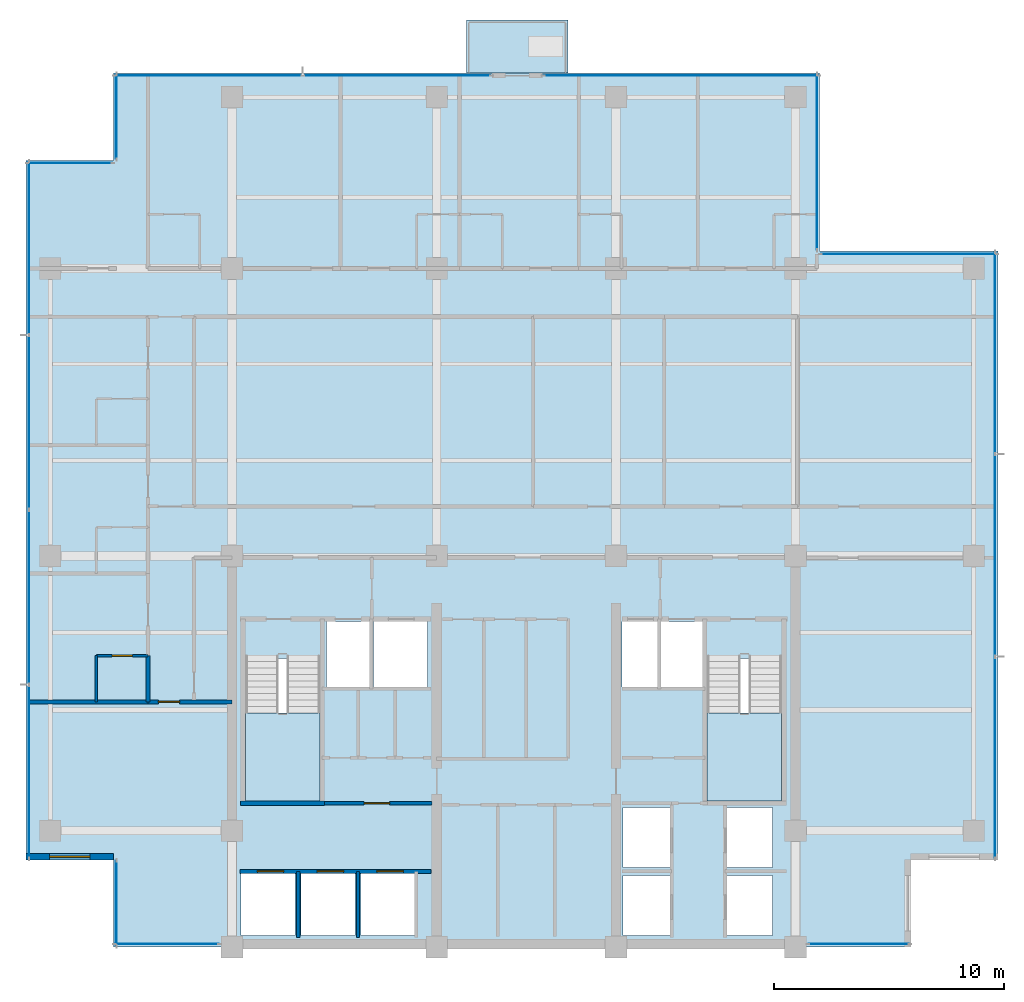
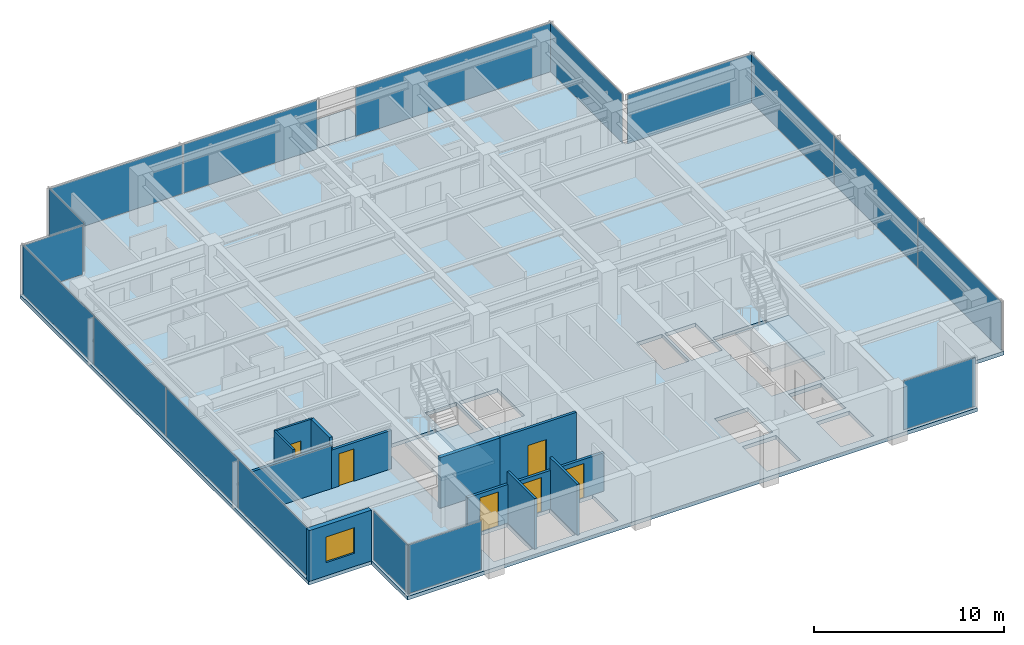
# One storey, part 6 of 15: 17 plates, 11 walls, 6 doors, 4 slabs, 1 window, 7 openings, 13 elements without a shape of their own.
"""IFC4 building model written with IfcOpenShell, lengths in metres."""

from ifc_helpers import new_model, si_unit, direction, frame, frame_2d, origin, origin_2d, place, context, subcontext, project, spatial, polyline, rectangle, outline, extrude, material, layer, layer_set, type_object, element, fill, aggregate, save


model = new_model("IFC4")

# Units and contexts
model_context = context("Model", 3, precision=1e-05, world=origin(), true_north=direction((0.0, 1.0)))
body_context = subcontext(model_context, "Body", "Model", "MODEL_VIEW")
ifc_project = project(units=[si_unit("LENGTHUNIT", "METRE"), si_unit("AREAUNIT", "SQUARE_METRE"), si_unit("VOLUMEUNIT", "CUBIC_METRE"), si_unit("PLANEANGLEUNIT", "RADIAN"), si_unit("MASSUNIT", "GRAM", prefix="KILO")], contexts=[model_context])

# Site, building, storey
site_placement = place(None, origin())
site = spatial("IfcSite", under=ifc_project, at=site_placement, CompositionType="ELEMENT")
building_placement = place(site_placement, origin())
building = spatial("IfcBuilding", under=site, at=building_placement, Name="Qalmaran Belvedere Hotel", CompositionType="ELEMENT")
storey_placement = place(building_placement, frame((0.0, 0.0, 196.89990234375)))
storey = spatial("IfcBuildingStorey", under=building, at=storey_placement, Name="L49", CompositionType="ELEMENT", Elevation=196.89990234375)

# Curtain wall, plate
ifc_material_1 = material(Name="Anodised Bronze Aluminium", Category="aluminium")
ifc_layer_1 = layer(ifc_material_1, 0.18994140625, Name="Anodised Bronze Aluminium")
ifc_layer_set_1 = layer_set([ifc_layer_1], Name="Anodised Bronze Aluminium")
curtain_wall_type = type_object("IfcCurtainWallType", Name="CW5-TOWER-UPPER", PredefinedType="NOTDEFINED", material=ifc_layer_set_1)
curtain_wall_1_placement = place(storey_placement, origin())
curtain_wall_1 = element("IfcCurtainWall", 1, at=curtain_wall_1_placement, inside=storey, type_object=curtain_wall_type, Name="L49 Curtain Wall CW5", PredefinedType="NOTDEFINED")
ifc_material_2 = material(Name="Solar-Control Double Glazing", Category="glass")
ifc_layer_2 = layer(ifc_material_2, 0.028076171875, Name="Solar-Control Double Glazing")
ifc_layer_set_2 = layer_set([ifc_layer_2], Name="Solar-Control Double Glazing")
plate_type = type_object("IfcPlateType", Name="CWP-VISION-28", PredefinedType="CURTAIN_PANEL", material=ifc_layer_set_2)
plate_1_placement = place(storey_placement, frame((17.467529296875, 3.6201171875, 0.065185546875), z_axis=(0.0, 0.0, 1.0), x_axis=(1.0, 0.0, 0.0)))
plate_1 = element("IfcPlate", 2, at=plate_1_placement, type_object=plate_type, Name="CW5 panel 1.1", PredefinedType="CURTAIN_PANEL", context=body_context, shape_type="SweptSolid", body=[
    extrude(rectangle(XDim=4.5048828125, YDim=0.028076171875, at=origin_2d()), origin(), (0.0, 0.0, 1.0), 3.1298828125),
])
aggregate(curtain_wall_1, [plate_1])

curtain_wall_2_placement = place(storey_placement, origin())
curtain_wall_2 = element("IfcCurtainWall", 3, at=curtain_wall_2_placement, inside=storey, type_object=curtain_wall_type, Name="L49 Curtain Wall CW5", PredefinedType="NOTDEFINED")
plate_2_placement = place(storey_placement, frame((47.5576171875, 3.6201171875, 0.065185546875), z_axis=(0.0, 0.0, 1.0), x_axis=(1.0, 0.0, 0.0)))
plate_2 = element("IfcPlate", 4, at=plate_2_placement, type_object=plate_type, Name="CW5 panel 1.1", PredefinedType="CURTAIN_PANEL", context=body_context, shape_type="SweptSolid", body=[
    extrude(rectangle(XDim=4.35498046875, YDim=0.028076171875, at=origin_2d()), origin(), (0.0, 0.0, 1.0), 3.1298828125),
])
aggregate(curtain_wall_2, [plate_2])

# Curtain wall, plates
curtain_wall_3_placement = place(storey_placement, origin())
curtain_wall_3 = element("IfcCurtainWall", 5, at=curtain_wall_3_placement, inside=storey, type_object=curtain_wall_type, Name="L49 Curtain Wall CW5", PredefinedType="NOTDEFINED")
plate_3_placement = place(storey_placement, frame((53.47998046875, 11.724609375, 0.065185546875), z_axis=(0.0, 0.0, 1.0), x_axis=(0.0, 1.0, 0.0)))
plate_3 = element("IfcPlate", 6, at=plate_3_placement, type_object=plate_type, Name="CW5 panel 1.1", PredefinedType="CURTAIN_PANEL", context=body_context, shape_type="SweptSolid", body=[
    extrude(rectangle(XDim=8.71923828125, YDim=0.028076171875, at=origin_2d()), origin(), (0.0, 0.0, 1.0), 3.1298828125),
])
plate_4_placement = place(storey_placement, frame((53.47998046875, 20.52490234375, 0.065185546875), z_axis=(0.0, 0.0, 1.0), x_axis=(0.0, 1.0, 0.0)))
plate_4 = element("IfcPlate", 7, at=plate_4_placement, type_object=plate_type, Name="CW5 panel 2.1", PredefinedType="CURTAIN_PANEL", context=body_context, shape_type="SweptSolid", body=[
    extrude(rectangle(XDim=8.751708984375, YDim=0.028076171875, at=origin_2d()), origin(), (0.0, 0.0, 1.0), 3.1298828125),
])
plate_5_placement = place(storey_placement, frame((53.47998046875, 29.325439453125, 0.065185546875), z_axis=(0.0, 0.0, 1.0), x_axis=(0.0, 1.0, 0.0)))
plate_5 = element("IfcPlate", 8, at=plate_5_placement, type_object=plate_type, Name="CW5 panel 3.1", PredefinedType="CURTAIN_PANEL", context=body_context, shape_type="SweptSolid", body=[
    extrude(rectangle(XDim=8.71923828125, YDim=0.028076171875, at=origin_2d()), origin(), (0.0, 0.0, 1.0), 3.1298828125),
])
aggregate(curtain_wall_3, [plate_3, plate_4, plate_5])

# Curtain wall, plate
curtain_wall_4_placement = place(storey_placement, origin())
curtain_wall_4 = element("IfcCurtainWall", 9, at=curtain_wall_4_placement, inside=storey, type_object=curtain_wall_type, Name="L49 Curtain Wall CW5", PredefinedType="NOTDEFINED")
plate_6_placement = place(storey_placement, frame((49.72509765625, 33.6298828125, 0.065185546875), z_axis=(0.0, 0.0, 1.0), x_axis=(-1.0, 0.0, 0.0)))
plate_6 = element("IfcPlate", 10, at=plate_6_placement, type_object=plate_type, Name="CW5 panel 1.1", PredefinedType="CURTAIN_PANEL", context=body_context, shape_type="SweptSolid", body=[
    extrude(rectangle(XDim=7.6201171875, YDim=0.028076171875, at=origin_2d()), origin(), (0.0, 0.0, 1.0), 3.1298828125),
])
aggregate(curtain_wall_4, [plate_6])

curtain_wall_5_placement = place(storey_placement, origin())
curtain_wall_5 = element("IfcCurtainWall", 11, at=curtain_wall_5_placement, inside=storey, type_object=curtain_wall_type, Name="L49 Curtain Wall CW5", PredefinedType="NOTDEFINED")
plate_7_placement = place(storey_placement, frame((45.72998046875, 37.625, 0.065185546875), z_axis=(0.0, 0.0, 1.0), x_axis=(0.0, 1.0, 0.0)))
plate_7 = element("IfcPlate", 12, at=plate_7_placement, type_object=plate_type, Name="CW5 panel 1.1", PredefinedType="CURTAIN_PANEL", context=body_context, shape_type="SweptSolid", body=[
    extrude(rectangle(XDim=7.6201171875, YDim=0.028076171875, at=origin_2d()), origin(), (0.0, 0.0, 1.0), 3.1298828125),
])
aggregate(curtain_wall_5, [plate_7])

# Curtain wall, plates
curtain_wall_6_placement = place(storey_placement, origin())
curtain_wall_6 = element("IfcCurtainWall", 13, at=curtain_wall_6_placement, inside=storey, type_object=curtain_wall_type, Name="L49 Curtain Wall CW5", PredefinedType="NOTDEFINED")
plate_8_placement = place(storey_placement, frame((27.47119140625, 41.3798828125, 0.065185546875), z_axis=(0.0, 0.0, 1.0), x_axis=(-1.0, 0.0, 0.0)))
plate_8 = element("IfcPlate", 14, at=plate_8_placement, type_object=plate_type, Name="CW5 panel 1.1", PredefinedType="CURTAIN_PANEL", context=body_context, shape_type="SweptSolid", body=[
    extrude(rectangle(XDim=8.12744140625, YDim=0.028076171875, at=origin_2d()), origin(), (0.0, 0.0, 1.0), 3.1298828125),
])
plate_9_placement = place(storey_placement, frame((19.27880859375, 41.3798828125, 0.065185546875), z_axis=(0.0, 0.0, 1.0), x_axis=(-1.0, 0.0, 0.0)))
plate_9 = element("IfcPlate", 15, at=plate_9_placement, type_object=plate_type, Name="CW5 panel 2.1", PredefinedType="CURTAIN_PANEL", context=body_context, shape_type="SweptSolid", body=[
    extrude(rectangle(XDim=8.12744140625, YDim=0.028076171875, at=origin_2d()), origin(), (0.0, 0.0, 1.0), 3.1298828125),
])
aggregate(curtain_wall_6, [plate_8, plate_9])

# Curtain wall, plate
curtain_wall_7_placement = place(storey_placement, origin())
curtain_wall_7 = element("IfcCurtainWall", 16, at=curtain_wall_7_placement, inside=storey, type_object=curtain_wall_type, Name="L49 Curtain Wall CW5", PredefinedType="NOTDEFINED")
plate_10_placement = place(storey_placement, frame((39.824951171875, 41.3798828125, 0.065185546875), z_axis=(0.0, 0.0, 1.0), x_axis=(-1.0, 0.0, 0.0)))
plate_10 = element("IfcPlate", 17, at=plate_10_placement, type_object=plate_type, Name="CW5 panel 1.1", PredefinedType="CURTAIN_PANEL", context=body_context, shape_type="SweptSolid", body=[
    extrude(rectangle(XDim=11.919921875, YDim=0.028076171875, at=origin_2d()), origin(), (0.0, 0.0, 1.0), 3.1298828125),
])
aggregate(curtain_wall_7, [plate_10])

curtain_wall_8_placement = place(storey_placement, origin())
curtain_wall_8 = element("IfcCurtainWall", 18, at=curtain_wall_8_placement, inside=storey, type_object=curtain_wall_type, Name="L49 Curtain Wall CW5", PredefinedType="NOTDEFINED")
plate_11_placement = place(storey_placement, frame((15.27001953125, 39.60009765625, 0.065185546875), z_axis=(0.0, 0.0, 1.0), x_axis=(0.0, -1.0, 0.0)))
plate_11 = element("IfcPlate", 19, at=plate_11_placement, type_object=plate_type, Name="CW5 panel 1.1", PredefinedType="CURTAIN_PANEL", context=body_context, shape_type="SweptSolid", body=[
    extrude(rectangle(XDim=3.669921875, YDim=0.028076171875, at=origin_2d()), origin(), (0.0, 0.0, 1.0), 3.1298828125),
])
aggregate(curtain_wall_8, [plate_11])

curtain_wall_9_placement = place(storey_placement, origin())
curtain_wall_9 = element("IfcCurtainWall", 20, at=curtain_wall_9_placement, inside=storey, type_object=curtain_wall_type, Name="L49 Curtain Wall CW5", PredefinedType="NOTDEFINED")
plate_12_placement = place(storey_placement, frame((13.25, 37.580078125, 0.065185546875), z_axis=(0.0, 0.0, 1.0), x_axis=(-1.0, 0.0, 0.0)))
plate_12 = element("IfcPlate", 21, at=plate_12_placement, type_object=plate_type, Name="CW5 panel 1.1", PredefinedType="CURTAIN_PANEL", context=body_context, shape_type="SweptSolid", body=[
    extrude(rectangle(XDim=3.669921875, YDim=0.028076171875, at=origin_2d()), origin(), (0.0, 0.0, 1.0), 3.1298828125),
])
aggregate(curtain_wall_9, [plate_12])

# Curtain wall, plates
curtain_wall_10_placement = place(storey_placement, origin())
curtain_wall_10 = element("IfcCurtainWall", 22, at=curtain_wall_10_placement, inside=storey, type_object=curtain_wall_type, Name="L49 Curtain Wall CW5", PredefinedType="NOTDEFINED")
plate_13_placement = place(storey_placement, frame((11.469970703125, 33.8837890625, 0.065185546875), z_axis=(0.0, 0.0, 1.0), x_axis=(0.0, -1.0, 0.0)))
plate_13 = element("IfcPlate", 23, at=plate_13_placement, type_object=plate_type, Name="CW5 panel 1.1", PredefinedType="CURTAIN_PANEL", context=body_context, shape_type="SweptSolid", body=[
    extrude(rectangle(XDim=7.50244140625, YDim=0.028076171875, at=origin_2d()), origin(), (0.0, 0.0, 1.0), 3.1298828125),
])
plate_14_placement = place(storey_placement, frame((11.469970703125, 26.300048828125, 0.065185546875), z_axis=(0.0, 0.0, 1.0), x_axis=(0.0, -1.0, 0.0)))
plate_14 = element("IfcPlate", 24, at=plate_14_placement, type_object=plate_type, Name="CW5 panel 2.1", PredefinedType="CURTAIN_PANEL", context=body_context, shape_type="SweptSolid", body=[
    extrude(rectangle(XDim=7.534912109375, YDim=0.028076171875, at=origin_2d()), origin(), (0.0, 0.0, 1.0), 3.1298828125),
])
plate_15_placement = place(storey_placement, frame((11.469970703125, 18.699951171875, 0.065185546875), z_axis=(0.0, 0.0, 1.0), x_axis=(0.0, -1.0, 0.0)))
plate_15 = element("IfcPlate", 25, at=plate_15_placement, type_object=plate_type, Name="CW5 panel 3.1", PredefinedType="CURTAIN_PANEL", context=body_context, shape_type="SweptSolid", body=[
    extrude(rectangle(XDim=7.534912109375, YDim=0.028076171875, at=origin_2d()), origin(), (0.0, 0.0, 1.0), 3.1298828125),
])
plate_16_placement = place(storey_placement, frame((11.469970703125, 11.1162109375, 0.065185546875), z_axis=(0.0, 0.0, 1.0), x_axis=(0.0, -1.0, 0.0)))
plate_16 = element("IfcPlate", 26, at=plate_16_placement, type_object=plate_type, Name="CW5 panel 4.1", PredefinedType="CURTAIN_PANEL", context=body_context, shape_type="SweptSolid", body=[
    extrude(rectangle(XDim=7.50244140625, YDim=0.028076171875, at=origin_2d()), origin(), (0.0, 0.0, 1.0), 3.1298828125),
])
aggregate(curtain_wall_10, [plate_13, plate_14, plate_15, plate_16])

# Curtain wall, plate
curtain_wall_11_placement = place(storey_placement, origin())
curtain_wall_11 = element("IfcCurtainWall", 27, at=curtain_wall_11_placement, inside=storey, type_object=curtain_wall_type, Name="L49 Curtain Wall CW5", PredefinedType="NOTDEFINED")
plate_17_placement = place(storey_placement, frame((15.27001953125, 5.39990234375, 0.065185546875), z_axis=(0.0, 0.0, 1.0), x_axis=(0.0, -1.0, 0.0)))
plate_17 = element("IfcPlate", 28, at=plate_17_placement, type_object=plate_type, Name="CW5 panel 1.1", PredefinedType="CURTAIN_PANEL", context=body_context, shape_type="SweptSolid", body=[
    extrude(rectangle(XDim=3.669921875, YDim=0.028076171875, at=origin_2d()), origin(), (0.0, 0.0, 1.0), 3.1298828125),
])
aggregate(curtain_wall_11, [plate_17])

# Slab
ifc_material_3 = material(Name="Concrete C40/50", Category="concrete")
ifc_layer_3 = layer(ifc_material_3, 0.219970703125, Name="Concrete C40/50")
ifc_layer_set_3 = layer_set([ifc_layer_3], Name="Concrete C40/50")
slab_type_1 = type_object("IfcSlabType", Name="SLB-BAL-220", PredefinedType="USERDEFINED", material=ifc_layer_set_3)
slab_1_placement = place(storey_placement, frame((0.0, 0.0, -0.219970703125)))
element("IfcSlab", 29, at=slab_1_placement, inside=storey, type_object=slab_type_1, Name="L49 Planted Tree Balcony Slab 1", ObjectType="BALCONY", PredefinedType="USERDEFINED", context=body_context, shape_type="SweptSolid", body=[
    extrude(outline(polyline([(30.5, 41.5), (34.89990234375, 41.5), (34.89990234375, 43.800048828125), (30.5, 43.800048828125), (30.5, 41.5)])), origin(), (0.0, 0.0, 1.0), 0.219970703125),
])

# Stair, slab
stair_type_1 = type_object("IfcStairType", Name="STR-ST-1-1450-R1750", PredefinedType="HALF_TURN_STAIR", material=ifc_material_3)
stair_1_placement = place(storey_placement, origin())
stair_1 = element("IfcStair", 30, at=stair_1_placement, inside=storey, type_object=stair_type_1, Name="L49 West Core Exit Stair ST-1", PredefinedType="HALF_TURN_STAIR")
ifc_layer_4 = layer(ifc_material_3, 0.199951171875, Name="Concrete C40/50")
ifc_layer_set_4 = layer_set([ifc_layer_4], Name="Concrete C40/50")
slab_type_2 = type_object("IfcSlabType", Name="SLB-STAIR-LANDING-200", PredefinedType="LANDING", material=ifc_layer_set_4)
slab_2_placement = place(storey_placement, frame((0.0, 0.0, 1.550048828125)))
slab_2 = element("IfcSlab", 31, at=slab_2_placement, type_object=slab_type_2, Name="ST-1 landing 1", PredefinedType="LANDING", context=body_context, shape_type="SweptSolid", body=[
    extrude(outline(polyline([(20.8798828125, 13.669921875), (20.8798828125, 9.85009765625), (24.1201171875, 9.85009765625), (24.1201171875, 13.669921875), (20.8798828125, 13.669921875)])), origin(), (0.0, 0.0, 1.0), 0.199951171875),
])
aggregate(stair_1, [slab_2])

stair_type_2 = type_object("IfcStairType", Name="STR-ST-2-1450-R1750", PredefinedType="HALF_TURN_STAIR", material=ifc_material_3)
stair_2_placement = place(storey_placement, origin())
stair_2 = element("IfcStair", 32, at=stair_2_placement, inside=storey, type_object=stair_type_2, Name="L49 East Core Exit Stair ST-2", PredefinedType="HALF_TURN_STAIR")
slab_3_placement = place(storey_placement, frame((0.0, 0.0, 1.550048828125)))
slab_3 = element("IfcSlab", 33, at=slab_3_placement, type_object=slab_type_2, Name="ST-2 landing 1", PredefinedType="LANDING", context=body_context, shape_type="SweptSolid", body=[
    extrude(outline(polyline([(40.9599609375, 13.669921875), (40.9599609375, 9.85009765625), (44.199951171875, 9.85009765625), (44.199951171875, 13.669921875), (40.9599609375, 13.669921875)])), origin(), (0.0, 0.0, 1.0), 0.199951171875),
])
aggregate(stair_2, [slab_3])

# Slab
ifc_layer_5 = layer(ifc_material_3, 0.239990234375, Name="Concrete C40/50")
ifc_layer_set_5 = layer_set([ifc_layer_5], Name="Concrete C40/50")
slab_type_3 = type_object("IfcSlabType", Name="SLB-Z4-240", PredefinedType="FLOOR", material=ifc_layer_set_5)
slab_4_placement = place(storey_placement, frame((0.0, 0.0, -0.239990234375)))
element("IfcSlab", 34, at=slab_4_placement, inside=storey, type_object=slab_type_3, Name="L49 Structural Floor Slab", PredefinedType="FLOOR", context=body_context, shape_type="SweptSolid", body=[
    extrude(outline(polyline([(15.14990234375, 3.5), (49.800048828125, 3.5), (49.800048828125, 7.300048828125), (53.60009765625, 7.300048828125), (53.60009765625, 33.75), (45.85009765625, 33.75), (45.85009765625, 41.5), (15.14990234375, 41.5), (15.14990234375, 37.699951171875), (11.35009765625, 37.699951171875), (11.35009765625, 7.300048828125), (15.14990234375, 7.300048828125), (15.14990234375, 3.5)]), holes=[polyline([(20.8798828125, 9.85009765625), (24.1201171875, 9.85009765625), (24.1201171875, 16.0400390625), (20.8798828125, 16.0400390625), (20.8798828125, 9.85009765625)]), polyline([(40.9599609375, 9.85009765625), (44.199951171875, 9.85009765625), (44.199951171875, 16.0400390625), (40.9599609375, 16.0400390625), (40.9599609375, 9.85009765625)]), polyline([(37.300048828125, 4.0), (39.35009765625, 4.0), (39.35009765625, 6.60009765625), (37.300048828125, 6.60009765625), (37.300048828125, 4.0)]), polyline([(37.300048828125, 6.949951171875), (39.35009765625, 6.949951171875), (39.35009765625, 9.550048828125), (37.300048828125, 9.550048828125), (37.300048828125, 6.949951171875)]), polyline([(41.800048828125, 4.0), (43.800048828125, 4.0), (43.800048828125, 6.60009765625), (41.800048828125, 6.60009765625), (41.800048828125, 4.0)]), polyline([(41.800048828125, 6.949951171875), (43.800048828125, 6.949951171875), (43.800048828125, 9.550048828125), (41.800048828125, 9.550048828125), (41.800048828125, 6.949951171875)]), polyline([(20.699951171875, 4.0), (23.050048828125, 4.0), (23.050048828125, 6.699951171875), (20.699951171875, 6.699951171875), (20.699951171875, 4.0)]), polyline([(23.300048828125, 4.0), (25.64990234375, 4.0), (25.64990234375, 6.699951171875), (23.300048828125, 6.699951171875), (23.300048828125, 4.0)]), polyline([(25.89990234375, 4.0), (28.25, 4.0), (28.25, 6.699951171875), (25.89990234375, 6.699951171875), (25.89990234375, 4.0)]), polyline([(24.39990234375, 14.800048828125), (26.300048828125, 14.800048828125), (26.300048828125, 17.64990234375), (24.39990234375, 17.64990234375), (24.39990234375, 14.800048828125)]), polyline([(38.949951171875, 14.800048828125), (40.820068359375, 14.800048828125), (40.820068359375, 17.64990234375), (38.949951171875, 17.64990234375), (38.949951171875, 14.800048828125)]), polyline([(26.449951171875, 14.800048828125), (28.800048828125, 14.800048828125), (28.800048828125, 17.64990234375), (26.449951171875, 17.64990234375), (26.449951171875, 14.800048828125)]), polyline([(37.25, 14.800048828125), (38.800048828125, 14.800048828125), (38.800048828125, 17.64990234375), (37.25, 17.64990234375), (37.25, 14.800048828125)])]), origin(), (0.0, 0.0, 1.0), 0.239990234375),
])

# Wall, opening, window
ifc_material_4 = material(Name="Anodised Bronze Cladding")
ifc_layer_6 = layer(ifc_material_4, 0.280029296875, Name="Anodised Bronze Cladding")
ifc_layer_set_6 = layer_set([ifc_layer_6], Name="Anodised Bronze Cladding")
wall_type_1 = type_object("IfcWallType", Name="WL-EXT-BRNZ-280", PredefinedType="SOLIDWALL", material=ifc_layer_set_6)
wall_1_placement = place(storey_placement, frame((11.35009765625, 7.419921875, 0.0), z_axis=(0.0, 0.0, 1.0), x_axis=(1.0, 0.0, 0.0)))
wall_1 = element("IfcWall", 35, at=wall_1_placement, inside=storey, type_object=wall_type_1, Name="L49 Corner Notch Wall 10", PredefinedType="SOLIDWALL", context=body_context, shape_type="SweptSolid", body=[
    extrude(rectangle(XDim=3.7998046875, YDim=0.280029296875, at=frame_2d((1.89990234375, 0.0))), origin(), (0.0, 0.0, 1.0), 3.260009765625),
])
opening_1_placement = place(wall_1_placement, frame((1.02490234375, 0.0, 0.85009765625)))
opening_1 = element("IfcOpeningElement", 36, at=opening_1_placement, cuts=wall_1, Name="Opening W-N17", PredefinedType="OPENING", context=body_context, shape_type="SweptSolid", body=[
    extrude(rectangle(XDim=1.75, YDim=1.64990234375, at=frame_2d((0.875, 0.824951171875))), frame((0.0, 0.14990234375, 0.0), z_axis=(0.0, -1.0, 0.0), x_axis=(1.0, 0.0, 0.0)), (0.0, 0.0, 1.0), 0.300048828125),
])
window_type = type_object("IfcWindowType", Name="WN-NTC-1750X1650", PartitioningType="SINGLE_PANEL", PredefinedType="WINDOW", material=ifc_material_2)
window_placement = place(opening_1_placement, origin())
window = element("IfcWindow", 37, at=window_placement, inside=storey, type_object=window_type, Name="L49 Corner Notch Window 10", OverallHeight=1.64990234375, OverallWidth=1.75, PartitioningType="SINGLE_PANEL", PredefinedType="WINDOW", context=body_context, shape_type="SweptSolid", body=[
    extrude(rectangle(XDim=1.75, YDim=1.64990234375, at=frame_2d((0.875, 0.824951171875))), frame((0.0, 0.030029296875, 0.0), z_axis=(0.0, -1.0, 0.0), x_axis=(1.0, 0.0, 0.0)), (0.0, 0.0, 1.0), 0.06005859375),
])
fill(opening_1, window)

# Wall, opening, door
ifc_material_5 = material(Name="Moisture-Resistant Gypsum")
ifc_layer_7 = layer(ifc_material_5, 0.1201171875, Name="Moisture-Resistant Gypsum")
ifc_layer_set_7 = layer_set([ifc_layer_7], Name="Moisture-Resistant Gypsum")
wall_type_2 = type_object("IfcWallType", Name="WL-INT-120-BATH", PredefinedType="PARTITIONING", material=ifc_layer_set_7)
wall_2_placement = place(storey_placement, frame((14.39990234375, 16.159912109375, 0.0), z_axis=(0.0, 0.0, 1.0), x_axis=(1.0, 0.0, 0.0)))
wall_2 = element("IfcWall", 38, at=wall_2_placement, inside=storey, type_object=wall_type_2, Name="L49 Partition WL-L49-WBN00", PredefinedType="PARTITIONING", context=body_context, shape_type="SweptSolid", body=[
    extrude(rectangle(XDim=2.25, YDim=0.1201171875, at=frame_2d((1.125, 0.0))), origin(), (0.0, 0.0, 1.0), 3.260009765625),
])
opening_2_placement = place(wall_2_placement, frame((1.56494140625, 0.0, 0.0), z_axis=(0.0, 0.0, 1.0), x_axis=(-1.0, 0.0, 0.0)))
opening_2 = element("IfcOpeningElement", 39, at=opening_2_placement, cuts=wall_2, Name="Opening D-BATH", PredefinedType="OPENING", context=body_context, shape_type="SweptSolid", body=[
    extrude(rectangle(XDim=0.8798828125, YDim=2.080078125, at=frame_2d((0.43994140625, 1.0400390625))), frame((0.0, 0.070068359375, 0.0), z_axis=(0.0, -1.0, 0.0), x_axis=(1.0, 0.0, 0.0)), (0.0, 0.0, 1.0), 0.14013671875),
])
ifc_material_6 = material(Name="Engineered Oak Veneer")
door_type_1 = type_object("IfcDoorType", Name="DR-INT-BATH-880X2080", OperationType="NOTDEFINED", PredefinedType="DOOR", material=ifc_material_6)
door_1_placement = place(opening_2_placement, origin())
door_1 = element("IfcDoor", 40, at=door_1_placement, inside=storey, type_object=door_type_1, Name="L49 W Ensuite Door 01", OperationType="SINGLE_SWING_RIGHT", OverallHeight=2.080078125, OverallWidth=0.8798828125, PredefinedType="DOOR", context=body_context, shape_type="SweptSolid", body=[
    extrude(rectangle(XDim=0.8798828125, YDim=2.080078125, at=frame_2d((0.43994140625, 1.0400390625))), frame((0.0, 0.02490234375, 0.0), z_axis=(0.0, -1.0, 0.0), x_axis=(1.0, 0.0, 0.0)), (0.0, 0.0, 1.0), 0.050048828125),
])
fill(opening_2, door_1)

# Walls
wall_3_placement = place(storey_placement, frame((14.39990234375, 14.14990234375, 0.0), z_axis=(0.0, 0.0, 1.0), x_axis=(0.0, 1.0, 0.0)))
element("IfcWall", 41, at=wall_3_placement, inside=storey, type_object=wall_type_2, Name="L49 Partition WL-L49-WBS00", PredefinedType="PARTITIONING", context=body_context, shape_type="SweptSolid", body=[
    extrude(rectangle(XDim=2.010009765625, YDim=0.1201171875, at=frame_2d((1.0048828125, 0.0))), origin(), (0.0, 0.0, 1.0), 3.260009765625),
])
ifc_material_7 = material(Name="Gypsum Stud Partition")
ifc_layer_8 = layer(ifc_material_7, 0.14990234375, Name="Gypsum Stud Partition")
ifc_layer_set_8 = layer_set([ifc_layer_8], Name="Gypsum Stud Partition")
wall_type_3 = type_object("IfcWallType", Name="WL-INT-150-EI120", PredefinedType="PARTITIONING", material=ifc_layer_set_8)
for number, where, z_axis, x_axis, name in (
    (42, (23.179931640625, 3.89990234375, 0.0), (0.0, 0.0, 1.0), (0.0, 1.0, 0.0), "L49 Partition WL-POM1-L49"),
    (43, (25.780029296875, 3.89990234375, 0.0), (0.0, 0.0, 1.0), (0.0, 1.0, 0.0), "L49 Partition WL-POM2-L49"),
):
    element("IfcWall", number, at=place(storey_placement, frame(where, z_axis=z_axis, x_axis=x_axis)), inside=storey, type_object=wall_type_3, Name=name, PredefinedType="PARTITIONING", context=body_context, shape_type="SweptSolid", body=[
        extrude(rectangle(XDim=2.880126953125, YDim=0.14990234375, at=frame_2d((1.43994140625, 0.0))), origin(), (0.0, 0.0, 1.0), 3.260009765625),
    ])

# Wall, openings, doors
ifc_layer_9 = layer(ifc_material_7, 0.159912109375, Name="Gypsum Stud Partition")
ifc_layer_set_9 = layer_set([ifc_layer_9], Name="Gypsum Stud Partition")
wall_type_4 = type_object("IfcWallType", Name="WL-INT-160-EI120", PredefinedType="PARTITIONING", material=ifc_layer_set_9)
wall_4_placement = place(storey_placement, frame((20.64990234375, 6.780029296875, 0.0), z_axis=(0.0, 0.0, 1.0), x_axis=(1.0, 0.0, 0.0)))
wall_4 = element("IfcWall", 44, at=wall_4_placement, inside=storey, type_object=wall_type_4, Name="L49 Partition WL-POS-L49", PredefinedType="PARTITIONING", context=body_context, shape_type="SweptSolid", body=[
    extrude(rectangle(XDim=8.300048828125, YDim=0.159912109375, at=frame_2d((4.14990234375, 0.0))), origin(), (0.0, 0.0, 1.0), 2.47216796875),
])
opening_3_placement = place(wall_4_placement, frame((0.75, 0.0, 0.0)))
opening_3 = element("IfcOpeningElement", 45, at=opening_3_placement, cuts=wall_4, Name="Opening LD-PO", PredefinedType="OPENING", context=body_context, shape_type="SweptSolid", body=[
    extrude(rectangle(XDim=1.14990234375, YDim=2.199951171875, at=frame_2d((0.574951171875, 1.10009765625))), frame((0.0, 0.08984375, 0.0), z_axis=(0.0, -1.0, 0.0), x_axis=(1.0, 0.0, 0.0)), (0.0, 0.0, 1.0), 0.179931640625),
])
opening_4_placement = place(wall_4_placement, frame((3.35009765625, 0.0, 0.0)))
opening_4 = element("IfcOpeningElement", 46, at=opening_4_placement, cuts=wall_4, Name="Opening LD-PO", PredefinedType="OPENING", context=body_context, shape_type="SweptSolid", body=[
    extrude(rectangle(XDim=1.14990234375, YDim=2.199951171875, at=frame_2d((0.574951171875, 1.10009765625))), frame((0.0, 0.08984375, 0.0), z_axis=(0.0, -1.0, 0.0), x_axis=(1.0, 0.0, 0.0)), (0.0, 0.0, 1.0), 0.179931640625),
])
opening_5_placement = place(wall_4_placement, frame((5.949951171875, 0.0, 0.0)))
opening_5 = element("IfcOpeningElement", 47, at=opening_5_placement, cuts=wall_4, Name="Opening LD-PO", PredefinedType="OPENING", context=body_context, shape_type="SweptSolid", body=[
    extrude(rectangle(XDim=1.14990234375, YDim=2.199951171875, at=frame_2d((0.574951171875, 1.10009765625))), frame((0.0, 0.08984375, 0.0), z_axis=(0.0, -1.0, 0.0), x_axis=(1.0, 0.0, 0.0)), (0.0, 0.0, 1.0), 0.179931640625),
])
door_type_2 = type_object("IfcDoorType", Name="DR-LIFT-PO-1150X2200", OperationType="DOUBLE_DOOR_SLIDING", PredefinedType="DOOR", material=ifc_material_1)
door_2_placement = place(opening_3_placement, origin())
door_2 = element("IfcDoor", 48, at=door_2_placement, inside=storey, type_object=door_type_2, Name="L49 PO1 Shuttle Landing Door", OperationType="DOUBLE_DOOR_SLIDING", OverallHeight=2.199951171875, OverallWidth=1.14990234375, PredefinedType="DOOR", context=body_context, shape_type="SweptSolid", body=[
    extrude(rectangle(XDim=1.14990234375, YDim=2.199951171875, at=frame_2d((0.574951171875, 1.10009765625))), frame((0.0, 0.02490234375, 0.0), z_axis=(0.0, -1.0, 0.0), x_axis=(1.0, 0.0, 0.0)), (0.0, 0.0, 1.0), 0.050048828125),
])
fill(opening_3, door_2)
door_3_placement = place(opening_4_placement, origin())
door_3 = element("IfcDoor", 49, at=door_3_placement, inside=storey, type_object=door_type_2, Name="L49 PO2 Shuttle Landing Door", OperationType="DOUBLE_DOOR_SLIDING", OverallHeight=2.199951171875, OverallWidth=1.14990234375, PredefinedType="DOOR", context=body_context, shape_type="SweptSolid", body=[
    extrude(rectangle(XDim=1.14990234375, YDim=2.199951171875, at=frame_2d((0.574951171875, 1.10009765625))), frame((0.0, 0.02490234375, 0.0), z_axis=(0.0, -1.0, 0.0), x_axis=(1.0, 0.0, 0.0)), (0.0, 0.0, 1.0), 0.050048828125),
])
fill(opening_4, door_3)
door_4_placement = place(opening_5_placement, origin())
door_4 = element("IfcDoor", 50, at=door_4_placement, inside=storey, type_object=door_type_2, Name="L49 PO3 Shuttle Landing Door", OperationType="DOUBLE_DOOR_SLIDING", OverallHeight=2.199951171875, OverallWidth=1.14990234375, PredefinedType="DOOR", context=body_context, shape_type="SweptSolid", body=[
    extrude(rectangle(XDim=1.14990234375, YDim=2.199951171875, at=frame_2d((0.574951171875, 1.10009765625))), frame((0.0, 0.02490234375, 0.0), z_axis=(0.0, -1.0, 0.0), x_axis=(1.0, 0.0, 0.0)), (0.0, 0.0, 1.0), 0.050048828125),
])
fill(opening_5, door_4)

# Wall, opening, door
wall_5_placement = place(storey_placement, frame((24.199951171875, 9.739990234375, 0.0), z_axis=(0.0, 0.0, 1.0), x_axis=(1.0, 0.0, 0.0)))
wall_5 = element("IfcWall", 51, at=wall_5_placement, inside=storey, type_object=wall_type_4, Name="L49 Partition WL-PON-L49", PredefinedType="PARTITIONING", context=body_context, shape_type="SweptSolid", body=[
    extrude(rectangle(XDim=4.800048828125, YDim=0.159912109375, at=frame_2d((2.39990234375, 0.0))), origin(), (0.0, 0.0, 1.0), 3.260009765625),
])
opening_6_placement = place(wall_5_placement, frame((1.85009765625, 0.0, 0.0)))
opening_6 = element("IfcOpeningElement", 52, at=opening_6_placement, cuts=wall_5, Name="Opening FD90", PredefinedType="OPENING", context=body_context, shape_type="SweptSolid", body=[
    extrude(rectangle(XDim=1.10009765625, YDim=2.14990234375, at=frame_2d((0.550048828125, 1.074951171875))), frame((0.0, 0.08984375, 0.0), z_axis=(0.0, -1.0, 0.0), x_axis=(1.0, 0.0, 0.0)), (0.0, 0.0, 1.0), 0.179931640625),
])
ifc_material_8 = material(Name="Steel S355JR", Category="steel")
door_type_3 = type_object("IfcDoorType", Name="DR-FD90-1100X2150", OperationType="NOTDEFINED", PredefinedType="DOOR", material=ifc_material_8)
door_5_placement = place(opening_6_placement, origin())
door_5 = element("IfcDoor", 53, at=door_5_placement, inside=storey, type_object=door_type_3, Name="L49 Shuttle Lobby Passage Door", OperationType="SINGLE_SWING_LEFT", OverallHeight=2.14990234375, OverallWidth=1.10009765625, PredefinedType="DOOR", context=body_context, shape_type="SweptSolid", body=[
    extrude(rectangle(XDim=1.10009765625, YDim=2.14990234375, at=frame_2d((0.550048828125, 1.074951171875))), frame((0.0, 0.02490234375, 0.0), z_axis=(0.0, -1.0, 0.0), x_axis=(1.0, 0.0, 0.0)), (0.0, 0.0, 1.0), 0.050048828125),
])
fill(opening_6, door_5)

ifc_layer_10 = layer(ifc_material_7, 0.159912109375, Name="Gypsum Stud Partition")
ifc_layer_set_10 = layer_set([ifc_layer_10], Name="Gypsum Stud Partition")
wall_type_5 = type_object("IfcWallType", Name="WL-INT-160-EI60", PredefinedType="PARTITIONING", material=ifc_layer_set_10)
wall_6_placement = place(storey_placement, frame((16.64990234375, 14.14990234375, 0.0), z_axis=(0.0, 0.0, 1.0), x_axis=(1.0, 0.0, 0.0)))
wall_6 = element("IfcWall", 54, at=wall_6_placement, inside=storey, type_object=wall_type_5, Name="L49 Partition WL-L49-SWRL", PredefinedType="PARTITIONING", context=body_context, shape_type="SweptSolid", body=[
    extrude(rectangle(XDim=3.650146484375, YDim=0.159912109375, at=frame_2d((1.8251953125, 0.0))), origin(), (0.0, 0.0, 1.0), 2.47216796875),
])
opening_7_placement = place(wall_6_placement, frame((1.369873046875, 0.0, 0.0), z_axis=(0.0, 0.0, 1.0), x_axis=(-1.0, 0.0, 0.0)))
opening_7 = element("IfcOpeningElement", 55, at=opening_7_placement, cuts=wall_6, Name="Opening FD60S1", PredefinedType="OPENING", context=body_context, shape_type="SweptSolid", body=[
    extrude(rectangle(XDim=0.919921875, YDim=2.080078125, at=frame_2d((0.4599609375, 1.0400390625))), frame((0.0, 0.08984375, 0.0), z_axis=(0.0, -1.0, 0.0), x_axis=(1.0, 0.0, 0.0)), (0.0, 0.0, 1.0), 0.179931640625),
])
door_type_4 = type_object("IfcDoorType", Name="DR-FD60S-920X2080", OperationType="NOTDEFINED", PredefinedType="DOOR", material=ifc_material_6)
door_6_placement = place(opening_7_placement, origin())
door_6 = element("IfcDoor", 56, at=door_6_placement, inside=storey, type_object=door_type_4, Name="L49 SW Study Door", OperationType="SINGLE_SWING_LEFT", OverallHeight=2.080078125, OverallWidth=0.919921875, PredefinedType="DOOR", context=body_context, shape_type="SweptSolid", body=[
    extrude(rectangle(XDim=0.919921875, YDim=2.080078125, at=frame_2d((0.4599609375, 1.0400390625))), frame((0.0, 0.02490234375, 0.0), z_axis=(0.0, -1.0, 0.0), x_axis=(1.0, 0.0, 0.0)), (0.0, 0.0, 1.0), 0.050048828125),
])
fill(opening_7, door_6)

# Walls
wall_7_placement = place(storey_placement, frame((11.469970703125, 14.14990234375, 0.0), z_axis=(0.0, 0.0, 1.0), x_axis=(1.0, 0.0, 0.0)))
element("IfcWall", 57, at=wall_7_placement, inside=storey, type_object=wall_type_5, Name="L49 Partition WL-L49-WBOT", PredefinedType="PARTITIONING", context=body_context, shape_type="SweptSolid", body=[
    extrude(rectangle(XDim=5.179931640625, YDim=0.159912109375, at=frame_2d((2.58984375, 0.0))), origin(), (0.0, 0.0, 1.0), 2.781982421875),
])
ifc_layer_11 = layer(ifc_material_7, 0.179931640625, Name="Gypsum Stud Partition")
ifc_layer_set_11 = layer_set([ifc_layer_11], Name="Gypsum Stud Partition")
wall_type_6 = type_object("IfcWallType", Name="WL-INT-180-EI60", PredefinedType="PARTITIONING", material=ifc_layer_set_11)
wall_8_placement = place(storey_placement, frame((16.64990234375, 14.14990234375, 0.0), z_axis=(0.0, 0.0, 1.0), x_axis=(0.0, 1.0, 0.0)))
element("IfcWall", 58, at=wall_8_placement, inside=storey, type_object=wall_type_6, Name="L49 Partition WL-L49-WBC00", PredefinedType="PARTITIONING", context=body_context, shape_type="SweptSolid", body=[
    extrude(rectangle(XDim=2.010009765625, YDim=0.179931640625, at=frame_2d((1.0048828125, 0.0))), origin(), (0.0, 0.0, 1.0), 3.260009765625),
])
ifc_material_9 = material(Name="Concrete C50/60", Category="concrete")
ifc_layer_12 = layer(ifc_material_9, 0.2099609375, Name="Concrete C50/60")
ifc_layer_set_12 = layer_set([ifc_layer_12], Name="Concrete C50/60")
wall_type_7 = type_object("IfcWallType", Name="WL-STAIR-210-C50", PredefinedType="SHEAR", material=ifc_layer_set_12)
wall_9_placement = place(storey_placement, frame((20.669921875, 9.7451171875, 0.0), z_axis=(0.0, 0.0, 1.0), x_axis=(1.0, 0.0, 0.0)))
element("IfcWall", 59, at=wall_9_placement, inside=storey, type_object=wall_type_7, Name="L49 Stair ST-1 South Bearing Wall", PredefinedType="SHEAR", context=body_context, shape_type="SweptSolid", body=[
    extrude(rectangle(XDim=3.66015625, YDim=0.2099609375, at=frame_2d((1.830078125, 0.0))), origin(), (0.0, 0.0, 1.0), 3.260009765625),
])

save(model, "model.ifc")
